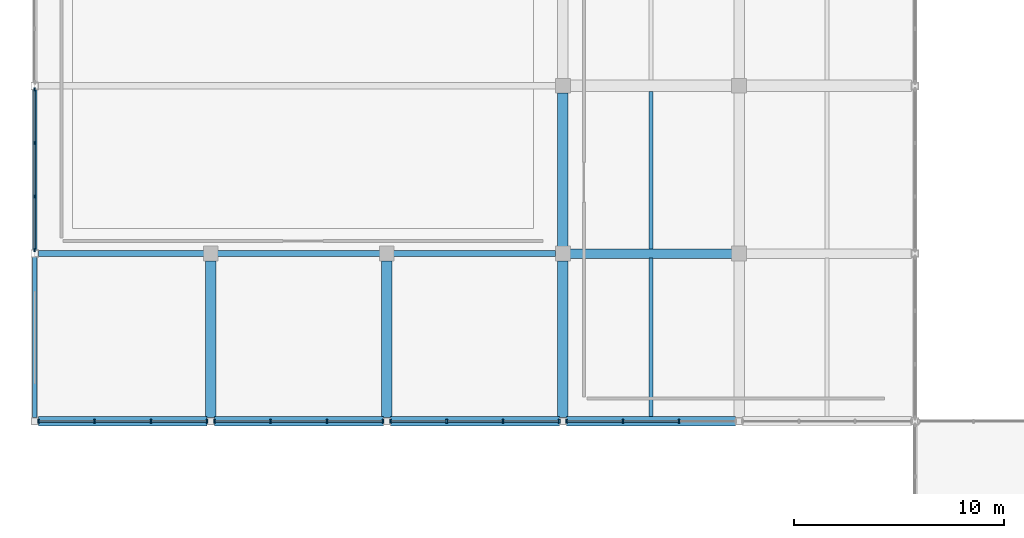
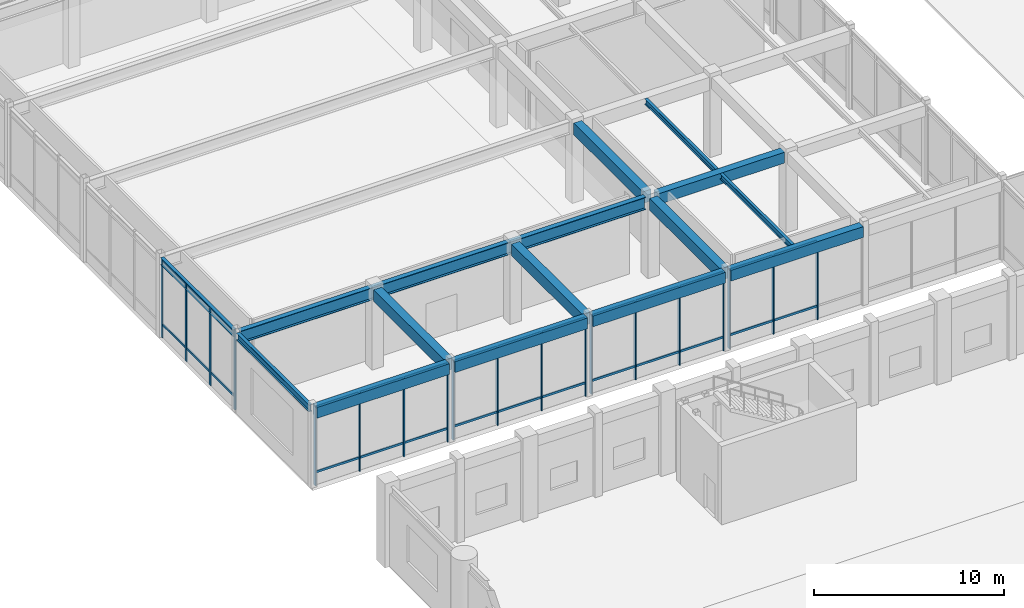
# One storey, part 31 of 79: 47 members, 14 beams, 5 elements without a shape of their own.
"""IFC4 building model written with IfcOpenShell, lengths in metres."""

import ifcopenshell
import ifcopenshell.guid

model = None  # the IFC model being written
_history = None  # IfcOwnerHistory: only IFC2X3 demands one
_inside = {}  # id of a spatial element -> (the spatial element, [elements in it])
_under = {}  # id of a project, library or spatial element -> (it, [spatial elements below it])
_declared = {}  # id of a project -> (the project, [libraries it declares])
_typed = {}  # id of a type object -> (the type object, [elements of that type])
_made_of = {}  # id of a material, layer set ... -> (it, [elements and type objects made of it])


def new_model(schema):
    """Start an empty IFC model of exactly this schema.

    Asked for "IFC4X3", IfcOpenShell would pick the latest addendum, in which some entities
    have other attributes; the version numbers below select the first issue.
    IFC2X3 requires an IfcOwnerHistory on every rooted entity: one is made here for all.
    """
    global model, _history
    if schema == "IFC4X3":
        model = ifcopenshell.file(schema_version=(4, 3, 0, 0))
    else:
        model = ifcopenshell.file(schema=schema)
    _inside.clear()
    _under.clear()
    _declared.clear()
    _typed.clear()
    _made_of.clear()
    _history = None
    if model.schema == "IFC2X3":
        org = make("IfcOrganization", Name="unknown")
        user = make(
            "IfcPersonAndOrganization",
            ThePerson=make("IfcPerson", FamilyName="unknown"),
            TheOrganization=org,
        )
        app = make(
            "IfcApplication",
            ApplicationDeveloper=org,
            Version="unknown",
            ApplicationFullName="unknown",
            ApplicationIdentifier="unknown",
        )
        _history = make(
            "IfcOwnerHistory",
            OwningUser=user,
            OwningApplication=app,
            ChangeAction="ADDED",
            CreationDate=0,
        )
    return model


def make(cls, **values):
    """One entity of the class cls with the attributes given. An attribute that is None is left unset."""
    return model.create_entity(
        cls, **{name: value for name, value in values.items() if value is not None}
    )


def rooted(cls, **values):
    """An entity with a GlobalId (a new one), such as an element, a storey or a relation."""
    return make(cls, GlobalId=ifcopenshell.guid.new(), OwnerHistory=_history, **values)


def si_unit(unit_type, name, prefix=None):
    """IfcSIUnit, for example si_unit("LENGTHUNIT", "METRE", prefix="MILLI")."""
    return make("IfcSIUnit", UnitType=unit_type, Prefix=prefix, Name=name)


def assignment(units):
    """IfcUnitAssignment: the units of a project."""
    return None if units is None else make("IfcUnitAssignment", Units=units)


def point(xyz):
    """IfcCartesianPoint."""
    return None if xyz is None else make("IfcCartesianPoint", Coordinates=xyz)


def direction(xyz):
    """IfcDirection."""
    return None if xyz is None else make("IfcDirection", DirectionRatios=xyz)


def frame(location, z_axis=None, x_axis=None):
    """IfcAxis2Placement3D, a coordinate frame: its origin and axes. An axis left out is left unset."""
    return make(
        "IfcAxis2Placement3D",
        Location=point(location),
        Axis=direction(z_axis),
        RefDirection=direction(x_axis),
    )


def frame_2d(location, x_axis=None):
    """IfcAxis2Placement2D, a coordinate frame in the plane: its origin and x axis."""
    return make(
        "IfcAxis2Placement2D", Location=point(location), RefDirection=direction(x_axis)
    )


def origin():
    """The frame at (0, 0, 0) with its axes left unset."""
    return frame((0.0, 0.0, 0.0))


def origin_2d():
    """The frame at (0, 0) in the plane with its x axis left unset."""
    return frame_2d((0.0, 0.0))


def place(relative_to, where):
    """IfcLocalPlacement: puts the frame where relative to a parent placement (None: the world)."""
    return make(
        "IfcLocalPlacement", PlacementRelTo=relative_to, RelativePlacement=where
    )


def context(
    kind, dimensions, precision=None, world=None, true_north=None, identifier=None
):
    """IfcGeometricRepresentationContext, for example the 3D "Model" context."""
    return make(
        "IfcGeometricRepresentationContext",
        ContextIdentifier=identifier,
        ContextType=kind,
        CoordinateSpaceDimension=dimensions,
        Precision=precision,
        WorldCoordinateSystem=world,
        TrueNorth=true_north,
    )


def subcontext(parent, identifier, kind, view, scale=None):
    """IfcGeometricRepresentationSubContext, for example "Body" below "Model"."""
    return make(
        "IfcGeometricRepresentationSubContext",
        ContextIdentifier=identifier,
        ContextType=kind,
        ParentContext=parent,
        TargetScale=scale,
        TargetView=view,
    )


def project(units=None, contexts=None):
    """IfcProject with its units and contexts."""
    return rooted(
        "IfcProject",
        Name="project",
        RepresentationContexts=contexts,
        UnitsInContext=assignment(units),
    )


def spatial(cls, under=None, at=None, **own):
    """A site, building, storey or space (cls), placed at a placement, below another one or the project."""
    s = rooted(cls, ObjectPlacement=at, **own)
    if under is not None:
        _under.setdefault(under.id(), (under, []))[1].append(s)
    return s


def profile(cls, at=None, kind="AREA", **sizes):
    """A parametric profile (cls). Its sizes go by their IFC names, for example OverallWidth=200.0."""
    return make(cls, ProfileType=kind, Position=at, **sizes)


def rectangle(**sizes):
    """IfcRectangleProfileDef."""
    return profile("IfcRectangleProfileDef", **sizes)


def i_section(**sizes):
    """IfcIShapeProfileDef."""
    return profile("IfcIShapeProfileDef", **sizes)


def extrude(swept, where, along, depth):
    """IfcExtrudedAreaSolid: the profile swept, set in the frame where, extruded along a direction by depth."""
    return make(
        "IfcExtrudedAreaSolid",
        SweptArea=swept,
        Position=where,
        ExtrudedDirection=direction(along),
        Depth=depth,
    )


def shape(context_of_items, identifier, shape_type, items):
    """IfcShapeRepresentation: the items that make up one representation, for example the "Body"."""
    return make(
        "IfcShapeRepresentation",
        ContextOfItems=context_of_items,
        RepresentationIdentifier=identifier,
        RepresentationType=shape_type,
        Items=items,
    )


def material(Name=None, Category=None):
    """IfcMaterial."""
    return make("IfcMaterial", Name=Name, Category=Category)


def layer(
    of_material, thickness, ventilated=None, Name=None, Category=None, Priority=None
):
    """IfcMaterialLayer: one layer of a wall or slab, of a material (None: an air gap)."""
    return make(
        "IfcMaterialLayer",
        Material=of_material,
        LayerThickness=thickness,
        IsVentilated=ventilated,
        Name=Name,
        Category=Category,
        Priority=Priority,
    )


def layer_set(layers, Name=None):
    """IfcMaterialLayerSet."""
    return make("IfcMaterialLayerSet", MaterialLayers=layers, LayerSetName=Name)


def material_profile(
    of_material, cross_section, Name=None, Category=None, Priority=None
):
    """IfcMaterialProfile: a cross section and its material."""
    return make(
        "IfcMaterialProfile",
        Name=Name,
        Material=of_material,
        Profile=cross_section,
        Priority=Priority,
        Category=Category,
    )


def profile_set(profiles, Name=None, composite=None):
    """IfcMaterialProfileSet."""
    return make(
        "IfcMaterialProfileSet",
        Name=Name,
        MaterialProfiles=profiles,
        CompositeProfile=composite,
    )


def made_of(thing, what):
    """Note that an element or type object is made of a material, layer set ...; save() writes the relation."""
    if what is not None:
        _made_of.setdefault(what.id(), (what, []))[1].append(thing)
    return thing


def type_object(cls, material=None, **own):
    """A type object (cls), such as IfcWallType, which elements share."""
    return made_of(rooted(cls, **own), material)


def element(
    cls,
    number,
    at=None,
    inside=None,
    cuts=None,
    type_object=None,
    material=None,
    context=None,
    identifier="Body",
    shape_type=None,
    held_by="IfcProductDefinitionShape",
    body=None,
    shapes=None,
    **own,
):
    """One element of the class cls, such as IfcWall. Its Tag is "e" and its number.

    at: its placement. inside: the storey or other place that contains it. cuts: it is an
    opening in that element (IfcRelVoidsElement). A single representation is given by context,
    identifier, shape_type and body (its items); several are given by shapes. held_by: the class
    of the entity that holds the representations. save() writes the other relations.
    """
    e = rooted(cls, Tag="e%d" % number, ObjectPlacement=at, **own)
    if body is not None:
        shapes = [shape(context, identifier, shape_type, body)]
    if shapes is not None:
        e.Representation = make(held_by, Representations=shapes)
    if inside is not None:
        _inside.setdefault(inside.id(), (inside, []))[1].append(e)
    if cuts is not None:
        rooted(
            "IfcRelVoidsElement", RelatingBuildingElement=cuts, RelatedOpeningElement=e
        )
    if type_object is not None:
        _typed.setdefault(type_object.id(), (type_object, []))[1].append(e)
    return made_of(e, material)


def aggregate(whole, parts):
    """IfcRelAggregates: a whole, such as a stair, and the parts it consists of."""
    return rooted("IfcRelAggregates", RelatingObject=whole, RelatedObjects=parts)


def save(model, path):
    """Write the relations noted so far, then the file.

    IfcRelAggregates (storeys below a building ...), IfcRelContainedInSpatialStructure (elements
    in a storey), IfcRelDefinesByType, IfcRelAssociatesMaterial and IfcRelDeclares: one each for
    every whole, place, type object, material and project.
    """
    for whole, parts in _under.values():
        aggregate(whole, parts)
    for where, things in _inside.values():
        rooted(
            "IfcRelContainedInSpatialStructure",
            RelatedElements=things,
            RelatingStructure=where,
        )
    for kind, things in _typed.values():
        rooted("IfcRelDefinesByType", RelatedObjects=things, RelatingType=kind)
    for what, things in _made_of.values():
        rooted("IfcRelAssociatesMaterial", RelatedObjects=things, RelatingMaterial=what)
    for by, libraries in _declared.values():
        rooted("IfcRelDeclares", RelatingContext=by, RelatedDefinitions=libraries)
    model.write(path)


model = new_model("IFC4")

# Units and contexts
model_context = context("Model", 3, precision=1e-05, world=origin(), true_north=direction((0.0, 1.0)))
body_context = subcontext(model_context, "Body", "Model", "MODEL_VIEW")
ifc_project = project(units=[si_unit("LENGTHUNIT", "METRE"), si_unit("AREAUNIT", "SQUARE_METRE"), si_unit("VOLUMEUNIT", "CUBIC_METRE"), si_unit("PLANEANGLEUNIT", "RADIAN"), si_unit("MASSUNIT", "GRAM", prefix="KILO")], contexts=[model_context])

# Site, building, storey
site_placement = place(None, origin())
site = spatial("IfcSite", under=ifc_project, at=site_placement, CompositionType="ELEMENT")
building_placement = place(site_placement, origin())
building = spatial("IfcBuilding", under=site, at=building_placement, Name="Naruveol Harbour Congress Hotel", CompositionType="ELEMENT")
storey_placement = place(building_placement, frame((0.0, 0.0, 6.0)))
storey = spatial("IfcBuildingStorey", under=building, at=storey_placement, Name="L01", CompositionType="ELEMENT", Elevation=6.0)

# Beams
ifc_material_1 = material(Name="Concrete C40/50", Category="concrete")
ifc_material_profile_1 = material_profile(ifc_material_1, rectangle(XDim=0.5, YDim=0.75, at=origin_2d()), Name="RCB-500x750")
ifc_profile_set_1 = profile_set([ifc_material_profile_1], Name="Concrete C40/50")
beam_type_1 = type_object("IfcBeamType", Name="RC FLOOR GIRDER 500X750", PredefinedType="BEAM", material=ifc_profile_set_1)
for number, where, z_axis, x_axis, name in (
    (1, (8.39990234375, 64.1708984375, 4.764892578125), (0.0, 1.0, 0.0), (-1.0, 0.0, 0.0), "Transverse girder L02 CB3"),
    (2, (16.800048828125, 64.1708984375, 4.764892578125), (0.0, 1.0, 0.0), (-1.0, 0.0, 0.0), "Transverse girder L02 CB3"),
    (3, (25.199951171875, 64.1708984375, 4.764892578125), (0.0, 1.0, 0.0), (-1.0, 0.0, 0.0), "Transverse girder L02 CB3"),
):
    element("IfcBeam", number, at=place(storey_placement, frame(where, z_axis=z_axis, x_axis=x_axis)), inside=storey, type_object=beam_type_1, Name=name, PredefinedType="BEAM", context=body_context, shape_type="SweptSolid", body=[
        extrude(rectangle(XDim=0.5, YDim=0.75, at=origin_2d()), origin(), (0.0, 0.0, 1.0), 7.483154296875),
    ])
beam_1_placement = place(storey_placement, frame((25.199951171875, 72.345947265625, 4.764892578125), z_axis=(0.0, 1.0, 0.0), x_axis=(-1.0, 0.0, 0.0)))
element("IfcBeam", 4, at=beam_1_placement, inside=storey, type_object=beam_type_1, Name="Transverse girder L02 CB3", PredefinedType="BEAM", context=body_context, shape_type="SweptSolid", body=[
    extrude(rectangle(XDim=0.5, YDim=0.75, at=origin_2d()), origin(), (0.0, 0.0, 1.0), 7.30810546875),
])
ifc_material_2 = material(Name="Concrete C40/50", Category="concrete")
ifc_material_profile_2 = material_profile(ifc_material_2, rectangle(XDim=0.449951171875, YDim=0.699951171875, at=origin_2d()), Name="RCB-450x700")
ifc_profile_set_2 = profile_set([ifc_material_profile_2], Name="Concrete C40/50")
beam_type_2 = type_object("IfcBeamType", Name="RC SPANDREL BEAM 450X700", PredefinedType="SPANDREL", material=ifc_profile_set_2)
beam_2_placement = place(storey_placement, frame((0.1708984375, 64.0, 4.7900390625), z_axis=(1.0, 0.0, 0.0), x_axis=(0.0, 1.0, 0.0)))
element("IfcBeam", 5, at=beam_2_placement, inside=storey, type_object=beam_type_2, Name="Floor girder L02 SPB1", PredefinedType="SPANDREL", context=body_context, shape_type="SweptSolid", body=[
    extrude(rectangle(XDim=0.449951171875, YDim=0.699951171875, at=origin_2d()), origin(), (0.0, 0.0, 1.0), 8.05810546875),
])
beam_3_placement = place(storey_placement, frame((8.571044921875, 64.0, 4.7900390625), z_axis=(1.0, 0.0, 0.0), x_axis=(0.0, 1.0, 0.0)))
element("IfcBeam", 6, at=beam_3_placement, inside=storey, type_object=beam_type_2, Name="Floor girder L02 SPB1", PredefinedType="SPANDREL", context=body_context, shape_type="SweptSolid", body=[
    extrude(rectangle(XDim=0.449951171875, YDim=0.699951171875, at=origin_2d()), origin(), (0.0, 0.0, 1.0), 8.057861328125),
])
beam_4_placement = place(storey_placement, frame((16.970947265625, 64.0, 4.7900390625), z_axis=(1.0, 0.0, 0.0), x_axis=(0.0, 1.0, 0.0)))
element("IfcBeam", 7, at=beam_4_placement, inside=storey, type_object=beam_type_2, Name="Floor girder L02 SPB1", PredefinedType="SPANDREL", context=body_context, shape_type="SweptSolid", body=[
    extrude(rectangle(XDim=0.449951171875, YDim=0.699951171875, at=origin_2d()), origin(), (0.0, 0.0, 1.0), 8.05810546875),
])
beam_5_placement = place(storey_placement, frame((25.37109375, 64.0, 4.7900390625), z_axis=(1.0, 0.0, 0.0), x_axis=(0.0, 1.0, 0.0)))
element("IfcBeam", 8, at=beam_5_placement, inside=storey, type_object=beam_type_2, Name="Floor girder L02 SPB1", PredefinedType="SPANDREL", context=body_context, shape_type="SweptSolid", body=[
    extrude(rectangle(XDim=0.449951171875, YDim=0.699951171875, at=origin_2d()), origin(), (0.0, 0.0, 1.0), 8.057861328125),
])
beam_6_placement = place(storey_placement, frame((25.5458984375, 72.0, 4.7900390625), z_axis=(1.0, 0.0, 0.0), x_axis=(0.0, 1.0, 0.0)))
element("IfcBeam", 9, at=beam_6_placement, inside=storey, type_object=beam_type_2, Name="Floor girder L02 SPB1", PredefinedType="SPANDREL", context=body_context, shape_type="SweptSolid", body=[
    extrude(rectangle(XDim=0.449951171875, YDim=0.699951171875, at=origin_2d()), origin(), (0.0, 0.0, 1.0), 7.7080078125),
])
ifc_material_3 = material(Name="Steel SN490", Category="steel")
ifc_material_profile_3 = material_profile(ifc_material_3, i_section(OverallWidth=0.175048828125, OverallDepth=0.35009765625, WebThickness=0.007080078125, FlangeThickness=0.010986328125, at=origin_2d()), Name="H-350x175x7x11")
ifc_profile_set_3 = profile_set([ifc_material_profile_3], Name="Steel SN490")
beam_type_3 = type_object("IfcBeamType", Name="STEEL SECONDARY JOIST H350", PredefinedType="JOIST", material=ifc_profile_set_3)
beam_7_placement = place(storey_placement, frame((29.39990234375, 64.220947265625, 4.965087890625), z_axis=(0.0, 1.0, 0.0), x_axis=(-1.0, 0.0, 0.0)))
element("IfcBeam", 10, at=beam_7_placement, inside=storey, type_object=beam_type_3, Name="Secondary floor joist L02 SJ2", PredefinedType="JOIST", context=body_context, shape_type="SweptSolid", body=[
    extrude(i_section(OverallWidth=0.175048828125, OverallDepth=0.35009765625, WebThickness=0.007080078125, FlangeThickness=0.010986328125, at=origin_2d()), origin(), (0.0, 0.0, 1.0), 7.55810546875),
])
beam_8_placement = place(storey_placement, frame((29.39990234375, 72.220947265625, 4.965087890625), z_axis=(0.0, 1.0, 0.0), x_axis=(-1.0, 0.0, 0.0)))
element("IfcBeam", 11, at=beam_8_placement, inside=storey, type_object=beam_type_3, Name="Secondary floor joist L02 SJ2", PredefinedType="JOIST", context=body_context, shape_type="SweptSolid", body=[
    extrude(i_section(OverallWidth=0.175048828125, OverallDepth=0.35009765625, WebThickness=0.007080078125, FlangeThickness=0.010986328125, at=origin_2d()), origin(), (0.0, 0.0, 1.0), 7.508056640625),
])
ifc_material_4 = material(Name="Steel SN490", Category="steel")
ifc_material_profile_4 = material_profile(ifc_material_4, i_section(OverallWidth=0.199951171875, OverallDepth=0.449951171875, WebThickness=0.009033203125, FlangeThickness=0.013916015625, at=origin_2d()), Name="H-450x200x9x14")
ifc_profile_set_4 = profile_set([ifc_material_profile_4], Name="Steel SN490")
beam_type_4 = type_object("IfcBeamType", Name="STEEL SPANDREL EDGE BEAM H450", PredefinedType="SPANDREL", material=ifc_profile_set_4)
for number, where, z_axis, x_axis, name in (
    (12, (0.0, 64.1708984375, 4.9150390625), (0.0, 1.0, 0.0), (-1.0, 0.0, 0.0), "Transverse girder L02 SPB2"),
    (13, (0.0, 72.1708984375, 4.9150390625), (0.0, 1.0, 0.0), (-1.0, 0.0, 0.0), "Transverse girder L02 SPB2"),
):
    element("IfcBeam", number, at=place(storey_placement, frame(where, z_axis=z_axis, x_axis=x_axis)), inside=storey, type_object=beam_type_4, Name=name, PredefinedType="SPANDREL", context=body_context, shape_type="SweptSolid", body=[
        extrude(i_section(OverallWidth=0.199951171875, OverallDepth=0.449951171875, WebThickness=0.009033203125, FlangeThickness=0.013916015625, at=origin_2d()), origin(), (0.0, 0.0, 1.0), 7.658203125),
    ])
ifc_material_5 = material(Name="Steel SN490", Category="steel")
ifc_material_profile_5 = material_profile(ifc_material_5, i_section(OverallWidth=0.300048828125, OverallDepth=0.800048828125, WebThickness=0.013916015625, FlangeThickness=0.02587890625, at=origin_2d()), Name="H-800x300x14x26")
ifc_profile_set_5 = profile_set([ifc_material_profile_5], Name="Steel SN490")
beam_type_5 = type_object("IfcBeamType", Name="STEEL VAULT ARCH GIRDER H800", PredefinedType="BEAM", material=ifc_profile_set_5)
beam_9_placement = place(storey_placement, frame((0.1708984375, 72.0, 4.739990234375), z_axis=(1.0, 0.0, 0.0), x_axis=(0.0, 1.0, 0.0)))
element("IfcBeam", 14, at=beam_9_placement, inside=storey, type_object=beam_type_5, Name="Spa pool vault tie girder VG-B1", PredefinedType="BEAM", context=body_context, shape_type="SweptSolid", body=[
    extrude(i_section(OverallWidth=0.300048828125, OverallDepth=0.800048828125, WebThickness=0.013916015625, FlangeThickness=0.02587890625, at=origin_2d()), origin(), (0.0, 0.0, 1.0), 24.68310546875),
])

# Curtain wall, members
ifc_material_6 = material(Name="Low-E Curtain Wall System", Category="glass")
ifc_layer_1 = layer(ifc_material_6, 0.179931640625)
ifc_layer_set_1 = layer_set([ifc_layer_1], Name="Low-E Curtain Wall System")
curtain_wall_type_1 = type_object("IfcCurtainWallType", Name="UNITISED CURTAIN WALL CW-V3P-13 7650X5100", PredefinedType="USERDEFINED", material=ifc_layer_set_1)
curtain_wall_1_placement = place(storey_placement, origin())
curtain_wall_1 = element("IfcCurtainWall", 15, at=curtain_wall_1_placement, inside=storey, type_object=curtain_wall_type_1, Name="Unitised curtain wall CW-V3P-13 L01", ObjectType="UNITISED GLAZING", PredefinedType="USERDEFINED")
ifc_material_7 = material(Name="Anodised Aluminium 6063-T6", Category="aluminium")
ifc_material_profile_6 = material_profile(ifc_material_7, rectangle(XDim=0.074951171875, YDim=0.179931640625, at=origin_2d()), Name="ALU-75x180")
ifc_profile_set_6 = profile_set([ifc_material_profile_6], Name="Anodised Aluminium 6063-T6")
member_type_1 = type_object("IfcMemberType", Name="THERMAL ALUMINIUM MULLION 75X180", PredefinedType="MULLION", material=ifc_profile_set_6)
member_1_placement = place(storey_placement, frame((0.0, 72.175048828125, 0.0), z_axis=(0.0, 0.0, 1.0), x_axis=(1.0, 0.0, 0.0)))
member_1 = element("IfcMember", 16, at=member_1_placement, type_object=member_type_1, Name="Curtain wall mullion CW-L01-0018-M0", PredefinedType="MULLION", context=body_context, shape_type="SweptSolid", body=[
    extrude(rectangle(XDim=0.074951171875, YDim=0.179931640625, at=origin_2d()), origin(), (0.0, 0.0, 1.0), 5.10009765625),
])
member_2_placement = place(storey_placement, frame((0.0, 74.72509765625, 0.0), z_axis=(0.0, 0.0, 1.0), x_axis=(1.0, 0.0, 0.0)))
member_2 = element("IfcMember", 17, at=member_2_placement, type_object=member_type_1, Name="Curtain wall mullion CW-L01-0018-M1", PredefinedType="MULLION", context=body_context, shape_type="SweptSolid", body=[
    extrude(rectangle(XDim=0.074951171875, YDim=0.179931640625, at=origin_2d()), origin(), (0.0, 0.0, 1.0), 5.10009765625),
])
member_3_placement = place(storey_placement, frame((0.0, 77.27490234375, 0.0), z_axis=(0.0, 0.0, 1.0), x_axis=(1.0, 0.0, 0.0)))
member_3 = element("IfcMember", 18, at=member_3_placement, type_object=member_type_1, Name="Curtain wall mullion CW-L01-0018-M2", PredefinedType="MULLION", context=body_context, shape_type="SweptSolid", body=[
    extrude(rectangle(XDim=0.074951171875, YDim=0.179931640625, at=origin_2d()), origin(), (0.0, 0.0, 1.0), 5.10009765625),
])
member_4_placement = place(storey_placement, frame((0.0, 79.824951171875, 0.0), z_axis=(0.0, 0.0, 1.0), x_axis=(1.0, 0.0, 0.0)))
member_4 = element("IfcMember", 19, at=member_4_placement, type_object=member_type_1, Name="Curtain wall mullion CW-L01-0018-M3", PredefinedType="MULLION", context=body_context, shape_type="SweptSolid", body=[
    extrude(rectangle(XDim=0.074951171875, YDim=0.179931640625, at=origin_2d()), origin(), (0.0, 0.0, 1.0), 5.10009765625),
])

ifc_material_8 = material(Name="Low-E Curtain Wall System", Category="glass")
ifc_layer_2 = layer(ifc_material_8, 0.179931640625)
ifc_layer_set_2 = layer_set([ifc_layer_2], Name="Low-E Curtain Wall System")
curtain_wall_type_2 = type_object("IfcCurtainWallType", Name="UNITISED CURTAIN WALL CW-V3S-14 8050X5100", PredefinedType="USERDEFINED", material=ifc_layer_set_2)
curtain_wall_2_placement = place(storey_placement, origin())
curtain_wall_2 = element("IfcCurtainWall", 20, at=curtain_wall_2_placement, inside=storey, type_object=curtain_wall_type_2, Name="Unitised curtain wall CW-V3S-14 L01", ObjectType="UNITISED GLAZING", PredefinedType="USERDEFINED")
member_5_placement = place(storey_placement, frame((30.74169921875, 64.0, 0.0), z_axis=(0.0, 0.0, 1.0), x_axis=(1.0, 0.0, 0.0)))
member_5 = element("IfcMember", 21, at=member_5_placement, type_object=member_type_1, Name="Curtain wall mullion CW-L01-0023-M1", PredefinedType="MULLION", context=body_context, shape_type="SweptSolid", body=[
    extrude(rectangle(XDim=0.074951171875, YDim=0.179931640625, at=origin_2d()), origin(), (0.0, 0.0, 1.0), 5.10009765625),
])
member_6_placement = place(storey_placement, frame((28.058349609375, 64.0, 0.0), z_axis=(0.0, 0.0, 1.0), x_axis=(1.0, 0.0, 0.0)))
member_6 = element("IfcMember", 22, at=member_6_placement, type_object=member_type_1, Name="Curtain wall mullion CW-L01-0023-M2", PredefinedType="MULLION", context=body_context, shape_type="SweptSolid", body=[
    extrude(rectangle(XDim=0.074951171875, YDim=0.179931640625, at=origin_2d()), origin(), (0.0, 0.0, 1.0), 5.10009765625),
])
member_7_placement = place(storey_placement, frame((25.375, 64.0, 0.0), z_axis=(0.0, 0.0, 1.0), x_axis=(1.0, 0.0, 0.0)))
member_7 = element("IfcMember", 23, at=member_7_placement, type_object=member_type_1, Name="Curtain wall mullion CW-L01-0023-M3", PredefinedType="MULLION", context=body_context, shape_type="SweptSolid", body=[
    extrude(rectangle(XDim=0.074951171875, YDim=0.179931640625, at=origin_2d()), origin(), (0.0, 0.0, 1.0), 5.10009765625),
])

curtain_wall_3_placement = place(storey_placement, origin())
curtain_wall_3 = element("IfcCurtainWall", 24, at=curtain_wall_3_placement, inside=storey, type_object=curtain_wall_type_2, Name="Unitised curtain wall CW-V3S-14 L01", ObjectType="UNITISED GLAZING", PredefinedType="USERDEFINED")
member_8_placement = place(storey_placement, frame((25.02490234375, 64.0, 0.0), z_axis=(0.0, 0.0, 1.0), x_axis=(1.0, 0.0, 0.0)))
member_8 = element("IfcMember", 25, at=member_8_placement, type_object=member_type_1, Name="Curtain wall mullion CW-L01-0024-M0", PredefinedType="MULLION", context=body_context, shape_type="SweptSolid", body=[
    extrude(rectangle(XDim=0.074951171875, YDim=0.179931640625, at=origin_2d()), origin(), (0.0, 0.0, 1.0), 5.10009765625),
])
member_9_placement = place(storey_placement, frame((22.341796875, 64.0, 0.0), z_axis=(0.0, 0.0, 1.0), x_axis=(1.0, 0.0, 0.0)))
member_9 = element("IfcMember", 26, at=member_9_placement, type_object=member_type_1, Name="Curtain wall mullion CW-L01-0024-M1", PredefinedType="MULLION", context=body_context, shape_type="SweptSolid", body=[
    extrude(rectangle(XDim=0.074951171875, YDim=0.179931640625, at=origin_2d()), origin(), (0.0, 0.0, 1.0), 5.10009765625),
])
member_10_placement = place(storey_placement, frame((19.658203125, 64.0, 0.0), z_axis=(0.0, 0.0, 1.0), x_axis=(1.0, 0.0, 0.0)))
member_10 = element("IfcMember", 27, at=member_10_placement, type_object=member_type_1, Name="Curtain wall mullion CW-L01-0024-M2", PredefinedType="MULLION", context=body_context, shape_type="SweptSolid", body=[
    extrude(rectangle(XDim=0.074951171875, YDim=0.179931640625, at=origin_2d()), origin(), (0.0, 0.0, 1.0), 5.10009765625),
])
member_11_placement = place(storey_placement, frame((16.97509765625, 64.0, 0.0), z_axis=(0.0, 0.0, 1.0), x_axis=(1.0, 0.0, 0.0)))
member_11 = element("IfcMember", 28, at=member_11_placement, type_object=member_type_1, Name="Curtain wall mullion CW-L01-0024-M3", PredefinedType="MULLION", context=body_context, shape_type="SweptSolid", body=[
    extrude(rectangle(XDim=0.074951171875, YDim=0.179931640625, at=origin_2d()), origin(), (0.0, 0.0, 1.0), 5.10009765625),
])

curtain_wall_4_placement = place(storey_placement, origin())
curtain_wall_4 = element("IfcCurtainWall", 29, at=curtain_wall_4_placement, inside=storey, type_object=curtain_wall_type_2, Name="Unitised curtain wall CW-V3S-14 L01", ObjectType="UNITISED GLAZING", PredefinedType="USERDEFINED")
member_12_placement = place(storey_placement, frame((16.625, 64.0, 0.0), z_axis=(0.0, 0.0, 1.0), x_axis=(1.0, 0.0, 0.0)))
member_12 = element("IfcMember", 30, at=member_12_placement, type_object=member_type_1, Name="Curtain wall mullion CW-L01-0025-M0", PredefinedType="MULLION", context=body_context, shape_type="SweptSolid", body=[
    extrude(rectangle(XDim=0.074951171875, YDim=0.179931640625, at=origin_2d()), origin(), (0.0, 0.0, 1.0), 5.10009765625),
])
member_13_placement = place(storey_placement, frame((13.941650390625, 64.0, 0.0), z_axis=(0.0, 0.0, 1.0), x_axis=(1.0, 0.0, 0.0)))
member_13 = element("IfcMember", 31, at=member_13_placement, type_object=member_type_1, Name="Curtain wall mullion CW-L01-0025-M1", PredefinedType="MULLION", context=body_context, shape_type="SweptSolid", body=[
    extrude(rectangle(XDim=0.074951171875, YDim=0.179931640625, at=origin_2d()), origin(), (0.0, 0.0, 1.0), 5.10009765625),
])
member_14_placement = place(storey_placement, frame((11.25830078125, 64.0, 0.0), z_axis=(0.0, 0.0, 1.0), x_axis=(1.0, 0.0, 0.0)))
member_14 = element("IfcMember", 32, at=member_14_placement, type_object=member_type_1, Name="Curtain wall mullion CW-L01-0025-M2", PredefinedType="MULLION", context=body_context, shape_type="SweptSolid", body=[
    extrude(rectangle(XDim=0.074951171875, YDim=0.179931640625, at=origin_2d()), origin(), (0.0, 0.0, 1.0), 5.10009765625),
])
member_15_placement = place(storey_placement, frame((8.574951171875, 64.0, 0.0), z_axis=(0.0, 0.0, 1.0), x_axis=(1.0, 0.0, 0.0)))
member_15 = element("IfcMember", 33, at=member_15_placement, type_object=member_type_1, Name="Curtain wall mullion CW-L01-0025-M3", PredefinedType="MULLION", context=body_context, shape_type="SweptSolid", body=[
    extrude(rectangle(XDim=0.074951171875, YDim=0.179931640625, at=origin_2d()), origin(), (0.0, 0.0, 1.0), 5.10009765625),
])

curtain_wall_5_placement = place(storey_placement, origin())
curtain_wall_5 = element("IfcCurtainWall", 34, at=curtain_wall_5_placement, inside=storey, type_object=curtain_wall_type_2, Name="Unitised curtain wall CW-V3S-14 L01", ObjectType="UNITISED GLAZING", PredefinedType="USERDEFINED")
member_16_placement = place(storey_placement, frame((8.22509765625, 64.0, 0.0), z_axis=(0.0, 0.0, 1.0), x_axis=(1.0, 0.0, 0.0)))
member_16 = element("IfcMember", 35, at=member_16_placement, type_object=member_type_1, Name="Curtain wall mullion CW-L01-0026-M0", PredefinedType="MULLION", context=body_context, shape_type="SweptSolid", body=[
    extrude(rectangle(XDim=0.074951171875, YDim=0.179931640625, at=origin_2d()), origin(), (0.0, 0.0, 1.0), 5.10009765625),
])
member_17_placement = place(storey_placement, frame((5.541748046875, 64.0, 0.0), z_axis=(0.0, 0.0, 1.0), x_axis=(1.0, 0.0, 0.0)))
member_17 = element("IfcMember", 36, at=member_17_placement, type_object=member_type_1, Name="Curtain wall mullion CW-L01-0026-M1", PredefinedType="MULLION", context=body_context, shape_type="SweptSolid", body=[
    extrude(rectangle(XDim=0.074951171875, YDim=0.179931640625, at=origin_2d()), origin(), (0.0, 0.0, 1.0), 5.10009765625),
])
member_18_placement = place(storey_placement, frame((2.8583984375, 64.0, 0.0), z_axis=(0.0, 0.0, 1.0), x_axis=(1.0, 0.0, 0.0)))
member_18 = element("IfcMember", 37, at=member_18_placement, type_object=member_type_1, Name="Curtain wall mullion CW-L01-0026-M2", PredefinedType="MULLION", context=body_context, shape_type="SweptSolid", body=[
    extrude(rectangle(XDim=0.074951171875, YDim=0.179931640625, at=origin_2d()), origin(), (0.0, 0.0, 1.0), 5.10009765625),
])
member_19_placement = place(storey_placement, frame((0.175048828125, 64.0, 0.0), z_axis=(0.0, 0.0, 1.0), x_axis=(1.0, 0.0, 0.0)))
member_19 = element("IfcMember", 38, at=member_19_placement, type_object=member_type_1, Name="Curtain wall mullion CW-L01-0026-M3", PredefinedType="MULLION", context=body_context, shape_type="SweptSolid", body=[
    extrude(rectangle(XDim=0.074951171875, YDim=0.179931640625, at=origin_2d()), origin(), (0.0, 0.0, 1.0), 5.10009765625),
])

# Member
ifc_material_9 = material(Name="Anodised Aluminium 6063-T6", Category="aluminium")
ifc_material_profile_7 = material_profile(ifc_material_9, rectangle(XDim=0.074951171875, YDim=0.14990234375, at=origin_2d()), Name="ALU-75x150")
ifc_profile_set_7 = profile_set([ifc_material_profile_7], Name="Anodised Aluminium 6063-T6")
member_type_2 = type_object("IfcMemberType", Name="THERMAL ALUMINIUM TRANSOM 75X150", PredefinedType="USERDEFINED", material=ifc_profile_set_7)
member_20_placement = place(storey_placement, frame((0.0, 72.215087890625, 0.85009765625), z_axis=(0.0, 1.0, 0.0), x_axis=(-1.0, 0.0, 0.0)))
member_20 = element("IfcMember", 39, at=member_20_placement, type_object=member_type_2, Name="Curtain wall transom CW-L01-0018-T0.1", ObjectType="TRANSOM", PredefinedType="USERDEFINED", context=body_context, shape_type="SweptSolid", body=[
    extrude(rectangle(XDim=0.074951171875, YDim=0.14990234375, at=origin_2d()), origin(), (0.0, 0.0, 1.0), 2.469970703125),
])

member_21_placement = place(storey_placement, frame((0.0, 72.215087890625, 5.02001953125), z_axis=(0.0, 1.0, 0.0), x_axis=(-1.0, 0.0, 0.0)))
member_21 = element("IfcMember", 40, at=member_21_placement, type_object=member_type_2, Name="Curtain wall transom CW-L01-0018-T0.2", ObjectType="TRANSOM", PredefinedType="USERDEFINED", context=body_context, shape_type="SweptSolid", body=[
    extrude(rectangle(XDim=0.074951171875, YDim=0.14990234375, at=origin_2d()), origin(), (0.0, 0.0, 1.0), 2.469970703125),
])

member_22_placement = place(storey_placement, frame((0.0, 74.764892578125, 0.85009765625), z_axis=(0.0, 1.0, 0.0), x_axis=(-1.0, 0.0, 0.0)))
member_22 = element("IfcMember", 41, at=member_22_placement, type_object=member_type_2, Name="Curtain wall transom CW-L01-0018-T1.1", ObjectType="TRANSOM", PredefinedType="USERDEFINED", context=body_context, shape_type="SweptSolid", body=[
    extrude(rectangle(XDim=0.074951171875, YDim=0.14990234375, at=origin_2d()), origin(), (0.0, 0.0, 1.0), 2.47021484375),
])

member_23_placement = place(storey_placement, frame((0.0, 74.764892578125, 5.02001953125), z_axis=(0.0, 1.0, 0.0), x_axis=(-1.0, 0.0, 0.0)))
member_23 = element("IfcMember", 42, at=member_23_placement, type_object=member_type_2, Name="Curtain wall transom CW-L01-0018-T1.2", ObjectType="TRANSOM", PredefinedType="USERDEFINED", context=body_context, shape_type="SweptSolid", body=[
    extrude(rectangle(XDim=0.074951171875, YDim=0.14990234375, at=origin_2d()), origin(), (0.0, 0.0, 1.0), 2.47021484375),
])

member_24_placement = place(storey_placement, frame((0.0, 77.31494140625, 0.85009765625), z_axis=(0.0, 1.0, 0.0), x_axis=(-1.0, 0.0, 0.0)))
member_24 = element("IfcMember", 43, at=member_24_placement, type_object=member_type_2, Name="Curtain wall transom CW-L01-0018-T2.1", ObjectType="TRANSOM", PredefinedType="USERDEFINED", context=body_context, shape_type="SweptSolid", body=[
    extrude(rectangle(XDim=0.074951171875, YDim=0.14990234375, at=origin_2d()), origin(), (0.0, 0.0, 1.0), 2.469970703125),
])

member_25_placement = place(storey_placement, frame((0.0, 77.31494140625, 5.02001953125), z_axis=(0.0, 1.0, 0.0), x_axis=(-1.0, 0.0, 0.0)))
member_25 = element("IfcMember", 44, at=member_25_placement, type_object=member_type_2, Name="Curtain wall transom CW-L01-0018-T2.2", ObjectType="TRANSOM", PredefinedType="USERDEFINED", context=body_context, shape_type="SweptSolid", body=[
    extrude(rectangle(XDim=0.074951171875, YDim=0.14990234375, at=origin_2d()), origin(), (0.0, 0.0, 1.0), 2.469970703125),
])

aggregate(curtain_wall_1, [member_1, member_2, member_3, member_4, member_20, member_21, member_22, member_23, member_24, member_25])

member_26_placement = place(storey_placement, frame((30.70166015625, 64.0, 0.85009765625), z_axis=(-1.0, 0.0, 0.0), x_axis=(0.0, -1.0, 0.0)))
member_26 = element("IfcMember", 45, at=member_26_placement, type_object=member_type_2, Name="Curtain wall transom CW-L01-0023-T1.1", ObjectType="TRANSOM", PredefinedType="USERDEFINED", context=body_context, shape_type="SweptSolid", body=[
    extrude(rectangle(XDim=0.074951171875, YDim=0.14990234375, at=origin_2d()), origin(), (0.0, 0.0, 1.0), 2.603271484375),
])

member_27_placement = place(storey_placement, frame((30.70166015625, 64.0, 5.02001953125), z_axis=(-1.0, 0.0, 0.0), x_axis=(0.0, -1.0, 0.0)))
member_27 = element("IfcMember", 46, at=member_27_placement, type_object=member_type_2, Name="Curtain wall transom CW-L01-0023-T1.2", ObjectType="TRANSOM", PredefinedType="USERDEFINED", context=body_context, shape_type="SweptSolid", body=[
    extrude(rectangle(XDim=0.074951171875, YDim=0.14990234375, at=origin_2d()), origin(), (0.0, 0.0, 1.0), 2.603271484375),
])

member_28_placement = place(storey_placement, frame((28.018310546875, 64.0, 0.85009765625), z_axis=(-1.0, 0.0, 0.0), x_axis=(0.0, -1.0, 0.0)))
member_28 = element("IfcMember", 47, at=member_28_placement, type_object=member_type_2, Name="Curtain wall transom CW-L01-0023-T2.1", ObjectType="TRANSOM", PredefinedType="USERDEFINED", context=body_context, shape_type="SweptSolid", body=[
    extrude(rectangle(XDim=0.074951171875, YDim=0.14990234375, at=origin_2d()), origin(), (0.0, 0.0, 1.0), 2.603271484375),
])

member_29_placement = place(storey_placement, frame((28.018310546875, 64.0, 5.02001953125), z_axis=(-1.0, 0.0, 0.0), x_axis=(0.0, -1.0, 0.0)))
member_29 = element("IfcMember", 48, at=member_29_placement, type_object=member_type_2, Name="Curtain wall transom CW-L01-0023-T2.2", ObjectType="TRANSOM", PredefinedType="USERDEFINED", context=body_context, shape_type="SweptSolid", body=[
    extrude(rectangle(XDim=0.074951171875, YDim=0.14990234375, at=origin_2d()), origin(), (0.0, 0.0, 1.0), 2.603271484375),
])

aggregate(curtain_wall_2, [member_5, member_6, member_7, member_26, member_27, member_28, member_29])

member_30_placement = place(storey_placement, frame((24.985107421875, 64.0, 0.85009765625), z_axis=(-1.0, 0.0, 0.0), x_axis=(0.0, -1.0, 0.0)))
member_30 = element("IfcMember", 49, at=member_30_placement, type_object=member_type_2, Name="Curtain wall transom CW-L01-0024-T0.1", ObjectType="TRANSOM", PredefinedType="USERDEFINED", context=body_context, shape_type="SweptSolid", body=[
    extrude(rectangle(XDim=0.074951171875, YDim=0.14990234375, at=origin_2d()), origin(), (0.0, 0.0, 1.0), 2.603515625),
])

member_31_placement = place(storey_placement, frame((24.985107421875, 64.0, 5.02001953125), z_axis=(-1.0, 0.0, 0.0), x_axis=(0.0, -1.0, 0.0)))
member_31 = element("IfcMember", 50, at=member_31_placement, type_object=member_type_2, Name="Curtain wall transom CW-L01-0024-T0.2", ObjectType="TRANSOM", PredefinedType="USERDEFINED", context=body_context, shape_type="SweptSolid", body=[
    extrude(rectangle(XDim=0.074951171875, YDim=0.14990234375, at=origin_2d()), origin(), (0.0, 0.0, 1.0), 2.603515625),
])

member_32_placement = place(storey_placement, frame((22.3017578125, 64.0, 0.85009765625), z_axis=(-1.0, 0.0, 0.0), x_axis=(0.0, -1.0, 0.0)))
member_32 = element("IfcMember", 51, at=member_32_placement, type_object=member_type_2, Name="Curtain wall transom CW-L01-0024-T1.1", ObjectType="TRANSOM", PredefinedType="USERDEFINED", context=body_context, shape_type="SweptSolid", body=[
    extrude(rectangle(XDim=0.074951171875, YDim=0.14990234375, at=origin_2d()), origin(), (0.0, 0.0, 1.0), 2.603515625),
])

member_33_placement = place(storey_placement, frame((22.3017578125, 64.0, 5.02001953125), z_axis=(-1.0, 0.0, 0.0), x_axis=(0.0, -1.0, 0.0)))
member_33 = element("IfcMember", 52, at=member_33_placement, type_object=member_type_2, Name="Curtain wall transom CW-L01-0024-T1.2", ObjectType="TRANSOM", PredefinedType="USERDEFINED", context=body_context, shape_type="SweptSolid", body=[
    extrude(rectangle(XDim=0.074951171875, YDim=0.14990234375, at=origin_2d()), origin(), (0.0, 0.0, 1.0), 2.603515625),
])

member_34_placement = place(storey_placement, frame((19.618408203125, 64.0, 0.85009765625), z_axis=(-1.0, 0.0, 0.0), x_axis=(0.0, -1.0, 0.0)))
member_34 = element("IfcMember", 53, at=member_34_placement, type_object=member_type_2, Name="Curtain wall transom CW-L01-0024-T2.1", ObjectType="TRANSOM", PredefinedType="USERDEFINED", context=body_context, shape_type="SweptSolid", body=[
    extrude(rectangle(XDim=0.074951171875, YDim=0.14990234375, at=origin_2d()), origin(), (0.0, 0.0, 1.0), 2.603515625),
])

member_35_placement = place(storey_placement, frame((19.618408203125, 64.0, 5.02001953125), z_axis=(-1.0, 0.0, 0.0), x_axis=(0.0, -1.0, 0.0)))
member_35 = element("IfcMember", 54, at=member_35_placement, type_object=member_type_2, Name="Curtain wall transom CW-L01-0024-T2.2", ObjectType="TRANSOM", PredefinedType="USERDEFINED", context=body_context, shape_type="SweptSolid", body=[
    extrude(rectangle(XDim=0.074951171875, YDim=0.14990234375, at=origin_2d()), origin(), (0.0, 0.0, 1.0), 2.603515625),
])

aggregate(curtain_wall_3, [member_8, member_9, member_10, member_11, member_30, member_31, member_32, member_33, member_34, member_35])

member_36_placement = place(storey_placement, frame((16.5849609375, 64.0, 0.85009765625), z_axis=(-1.0, 0.0, 0.0), x_axis=(0.0, -1.0, 0.0)))
member_36 = element("IfcMember", 55, at=member_36_placement, type_object=member_type_2, Name="Curtain wall transom CW-L01-0025-T0.1", ObjectType="TRANSOM", PredefinedType="USERDEFINED", context=body_context, shape_type="SweptSolid", body=[
    extrude(rectangle(XDim=0.074951171875, YDim=0.14990234375, at=origin_2d()), origin(), (0.0, 0.0, 1.0), 2.603271484375),
])

member_37_placement = place(storey_placement, frame((16.5849609375, 64.0, 5.02001953125), z_axis=(-1.0, 0.0, 0.0), x_axis=(0.0, -1.0, 0.0)))
member_37 = element("IfcMember", 56, at=member_37_placement, type_object=member_type_2, Name="Curtain wall transom CW-L01-0025-T0.2", ObjectType="TRANSOM", PredefinedType="USERDEFINED", context=body_context, shape_type="SweptSolid", body=[
    extrude(rectangle(XDim=0.074951171875, YDim=0.14990234375, at=origin_2d()), origin(), (0.0, 0.0, 1.0), 2.603271484375),
])

member_38_placement = place(storey_placement, frame((13.901611328125, 64.0, 0.85009765625), z_axis=(-1.0, 0.0, 0.0), x_axis=(0.0, -1.0, 0.0)))
member_38 = element("IfcMember", 57, at=member_38_placement, type_object=member_type_2, Name="Curtain wall transom CW-L01-0025-T1.1", ObjectType="TRANSOM", PredefinedType="USERDEFINED", context=body_context, shape_type="SweptSolid", body=[
    extrude(rectangle(XDim=0.074951171875, YDim=0.14990234375, at=origin_2d()), origin(), (0.0, 0.0, 1.0), 2.603271484375),
])

member_39_placement = place(storey_placement, frame((13.901611328125, 64.0, 5.02001953125), z_axis=(-1.0, 0.0, 0.0), x_axis=(0.0, -1.0, 0.0)))
member_39 = element("IfcMember", 58, at=member_39_placement, type_object=member_type_2, Name="Curtain wall transom CW-L01-0025-T1.2", ObjectType="TRANSOM", PredefinedType="USERDEFINED", context=body_context, shape_type="SweptSolid", body=[
    extrude(rectangle(XDim=0.074951171875, YDim=0.14990234375, at=origin_2d()), origin(), (0.0, 0.0, 1.0), 2.603271484375),
])

member_40_placement = place(storey_placement, frame((11.21826171875, 64.0, 0.85009765625), z_axis=(-1.0, 0.0, 0.0), x_axis=(0.0, -1.0, 0.0)))
member_40 = element("IfcMember", 59, at=member_40_placement, type_object=member_type_2, Name="Curtain wall transom CW-L01-0025-T2.1", ObjectType="TRANSOM", PredefinedType="USERDEFINED", context=body_context, shape_type="SweptSolid", body=[
    extrude(rectangle(XDim=0.074951171875, YDim=0.14990234375, at=origin_2d()), origin(), (0.0, 0.0, 1.0), 2.603271484375),
])

member_41_placement = place(storey_placement, frame((11.21826171875, 64.0, 5.02001953125), z_axis=(-1.0, 0.0, 0.0), x_axis=(0.0, -1.0, 0.0)))
member_41 = element("IfcMember", 60, at=member_41_placement, type_object=member_type_2, Name="Curtain wall transom CW-L01-0025-T2.2", ObjectType="TRANSOM", PredefinedType="USERDEFINED", context=body_context, shape_type="SweptSolid", body=[
    extrude(rectangle(XDim=0.074951171875, YDim=0.14990234375, at=origin_2d()), origin(), (0.0, 0.0, 1.0), 2.603271484375),
])

aggregate(curtain_wall_4, [member_12, member_13, member_14, member_15, member_36, member_37, member_38, member_39, member_40, member_41])

member_42_placement = place(storey_placement, frame((8.18505859375, 64.0, 0.85009765625), z_axis=(-1.0, 0.0, 0.0), x_axis=(0.0, -1.0, 0.0)))
member_42 = element("IfcMember", 61, at=member_42_placement, type_object=member_type_2, Name="Curtain wall transom CW-L01-0026-T0.1", ObjectType="TRANSOM", PredefinedType="USERDEFINED", context=body_context, shape_type="SweptSolid", body=[
    extrude(rectangle(XDim=0.074951171875, YDim=0.14990234375, at=origin_2d()), origin(), (0.0, 0.0, 1.0), 2.603271484375),
])

member_43_placement = place(storey_placement, frame((8.18505859375, 64.0, 5.02001953125), z_axis=(-1.0, 0.0, 0.0), x_axis=(0.0, -1.0, 0.0)))
member_43 = element("IfcMember", 62, at=member_43_placement, type_object=member_type_2, Name="Curtain wall transom CW-L01-0026-T0.2", ObjectType="TRANSOM", PredefinedType="USERDEFINED", context=body_context, shape_type="SweptSolid", body=[
    extrude(rectangle(XDim=0.074951171875, YDim=0.14990234375, at=origin_2d()), origin(), (0.0, 0.0, 1.0), 2.603271484375),
])

member_44_placement = place(storey_placement, frame((5.501708984375, 64.0, 0.85009765625), z_axis=(-1.0, 0.0, 0.0), x_axis=(0.0, -1.0, 0.0)))
member_44 = element("IfcMember", 63, at=member_44_placement, type_object=member_type_2, Name="Curtain wall transom CW-L01-0026-T1.1", ObjectType="TRANSOM", PredefinedType="USERDEFINED", context=body_context, shape_type="SweptSolid", body=[
    extrude(rectangle(XDim=0.074951171875, YDim=0.14990234375, at=origin_2d()), origin(), (0.0, 0.0, 1.0), 2.603515625),
])

member_45_placement = place(storey_placement, frame((5.501708984375, 64.0, 5.02001953125), z_axis=(-1.0, 0.0, 0.0), x_axis=(0.0, -1.0, 0.0)))
member_45 = element("IfcMember", 64, at=member_45_placement, type_object=member_type_2, Name="Curtain wall transom CW-L01-0026-T1.2", ObjectType="TRANSOM", PredefinedType="USERDEFINED", context=body_context, shape_type="SweptSolid", body=[
    extrude(rectangle(XDim=0.074951171875, YDim=0.14990234375, at=origin_2d()), origin(), (0.0, 0.0, 1.0), 2.603515625),
])

member_46_placement = place(storey_placement, frame((2.818359375, 64.0, 0.85009765625), z_axis=(-1.0, 0.0, 0.0), x_axis=(0.0, -1.0, 0.0)))
member_46 = element("IfcMember", 65, at=member_46_placement, type_object=member_type_2, Name="Curtain wall transom CW-L01-0026-T2.1", ObjectType="TRANSOM", PredefinedType="USERDEFINED", context=body_context, shape_type="SweptSolid", body=[
    extrude(rectangle(XDim=0.074951171875, YDim=0.14990234375, at=origin_2d()), origin(), (0.0, 0.0, 1.0), 2.603271484375),
])

member_47_placement = place(storey_placement, frame((2.818359375, 64.0, 5.02001953125), z_axis=(-1.0, 0.0, 0.0), x_axis=(0.0, -1.0, 0.0)))
member_47 = element("IfcMember", 66, at=member_47_placement, type_object=member_type_2, Name="Curtain wall transom CW-L01-0026-T2.2", ObjectType="TRANSOM", PredefinedType="USERDEFINED", context=body_context, shape_type="SweptSolid", body=[
    extrude(rectangle(XDim=0.074951171875, YDim=0.14990234375, at=origin_2d()), origin(), (0.0, 0.0, 1.0), 2.603271484375),
])

aggregate(curtain_wall_5, [member_16, member_17, member_18, member_19, member_42, member_43, member_44, member_45, member_46, member_47])

save(model, "model.ifc")
